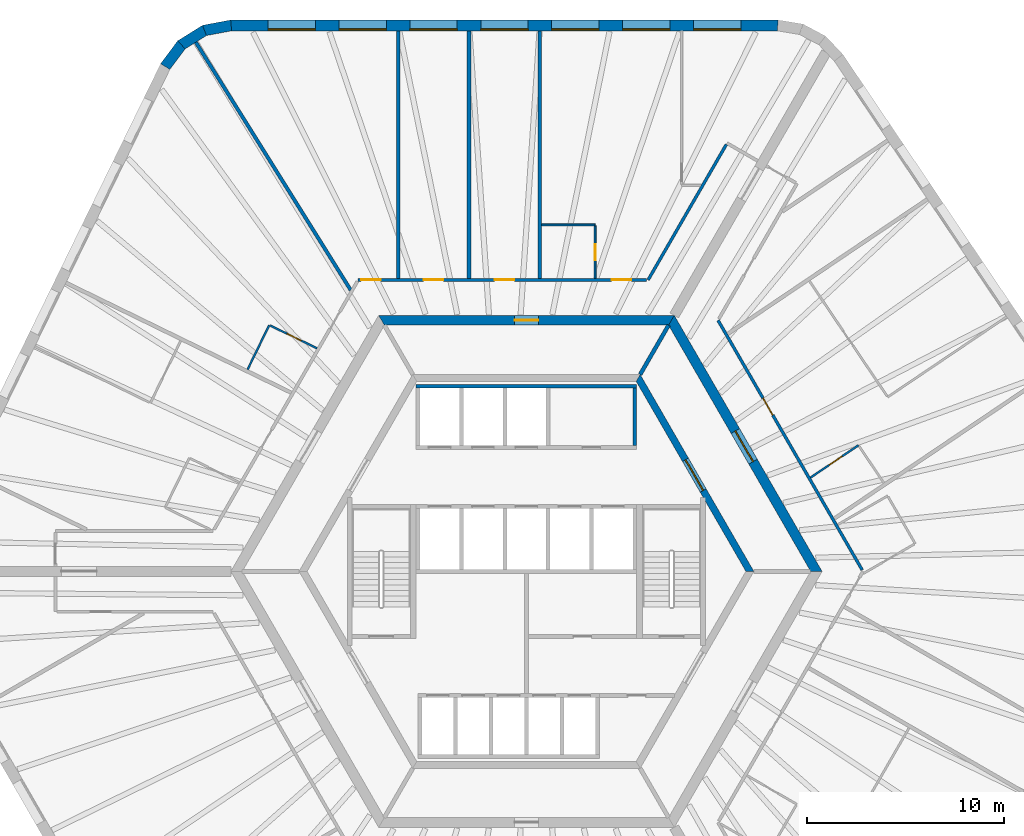
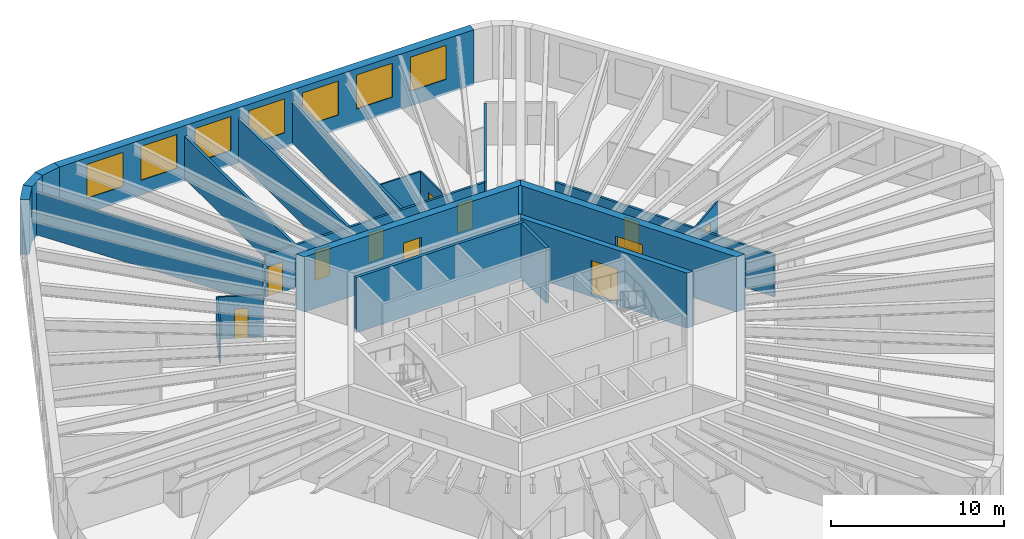
# One storey, part 7 of 9: 22 walls, 11 doors, 7 windows, 18 openings.
"""IFC4 building model written with IfcOpenShell, lengths in metres."""

from ifc_helpers import new_model, si_unit, direction, frame, frame_2d, origin, place, context, subcontext, project, spatial, polyline, rectangle, outline, extrude, material, layer, layer_set, type_object, element, fill, save


model = new_model("IFC4")

# Units and contexts
model_context = context("Model", 3, precision=1e-05, world=origin(), true_north=direction((0.0, 1.0)))
body_context = subcontext(model_context, "Body", "Model", "MODEL_VIEW")
ifc_project = project(units=[si_unit("LENGTHUNIT", "METRE"), si_unit("AREAUNIT", "SQUARE_METRE"), si_unit("VOLUMEUNIT", "CUBIC_METRE"), si_unit("PLANEANGLEUNIT", "RADIAN"), si_unit("MASSUNIT", "GRAM", prefix="KILO")], contexts=[model_context])

# Site, building, storey
site_placement = place(None, origin())
site = spatial("IfcSite", under=ifc_project, at=site_placement, CompositionType="ELEMENT")
building_placement = place(site_placement, origin())
building = spatial("IfcBuilding", under=site, at=building_placement, Name="Tarnside Tower", CompositionType="ELEMENT")
storey_placement = place(building_placement, frame((0.0, 0.0, 219.0)))
storey = spatial("IfcBuildingStorey", under=building, at=storey_placement, Name="L52", CompositionType="ELEMENT", Elevation=219.0)

# Wall
ifc_material_1 = material(Name="Gypsum board partition on steel studs", Category="steel")
ifc_layer_1 = layer(ifc_material_1, 0.10009765625)
ifc_layer_set_1 = layer_set([ifc_layer_1], Name="Bathroom wall 100")
wall_type_1 = type_object("IfcWallType", Name="Bathroom wall 100", PredefinedType="PARTITIONING", material=ifc_layer_set_1)
wall_1_placement = place(storey_placement, frame((0.772216796875, 17.60009765625, 0.0), z_axis=(0.0, 0.0, 1.0), x_axis=(1.0, 0.0, 0.0)))
element("IfcWall", 1, at=wall_1_placement, inside=storey, type_object=wall_type_1, Name="Bathroom wall 17046", PredefinedType="PARTITIONING", context=body_context, shape_type="SweptSolid", body=[
    extrude(rectangle(XDim=2.7099609375, YDim=0.10009765625, at=frame_2d((1.35498046875, 0.0))), origin(), (0.0, 0.0, 1.0), 2.98779296875),
])

# Wall, opening, door
wall_2_placement = place(storey_placement, frame((3.482177734375, 17.550048828125, 0.0), z_axis=(0.0, 0.0, 1.0), x_axis=(0.0, -1.0, 0.0)))
wall_2 = element("IfcWall", 2, at=wall_2_placement, inside=storey, type_object=wall_type_1, Name="Bathroom wall 17047", PredefinedType="PARTITIONING", context=body_context, shape_type="SweptSolid", body=[
    extrude(rectangle(XDim=2.675048828125, YDim=0.10009765625, at=frame_2d((1.33740234375, 0.0))), origin(), (0.0, 0.0, 1.0), 2.98779296875),
])
opening_1_placement = place(wall_2_placement, frame((0.949951171875, 0.0, 0.0)))
opening_1 = element("IfcOpeningElement", 3, at=opening_1_placement, cuts=wall_2, Name="Opening D-B1", PredefinedType="OPENING", context=body_context, shape_type="SweptSolid", body=[
    extrude(rectangle(XDim=0.800048828125, YDim=2.10009765625, at=frame_2d((0.39990234375, 1.050048828125))), frame((0.0, 0.06005859375, 0.0), z_axis=(0.0, -1.0, 0.0), x_axis=(1.0, 0.0, 0.0)), (0.0, 0.0, 1.0), 0.1201171875),
])
ifc_material_2 = material(Name="Timber door leaf", Category="wood")
door_type_1 = type_object("IfcDoorType", Name="Bathroom door 800", OperationType="NOTDEFINED", PredefinedType="DOOR", material=ifc_material_2)
door_1_placement = place(opening_1_placement, origin())
door_1 = element("IfcDoor", 4, at=door_1_placement, inside=storey, type_object=door_type_1, Name="Bathroom door 17002", OperationType="SINGLE_SWING_LEFT", OverallHeight=2.10009765625, OverallWidth=0.800048828125, PredefinedType="DOOR", context=body_context, shape_type="SweptSolid", body=[
    extrude(rectangle(XDim=0.800048828125, YDim=2.10009765625, at=frame_2d((0.39990234375, 1.050048828125))), frame((0.0, 0.02490234375, 0.0), z_axis=(0.0, -1.0, 0.0), x_axis=(1.0, 0.0, 0.0)), (0.0, 0.0, 1.0), 0.050048828125),
])
fill(opening_1, door_1)

# Wall
wall_3_placement = place(storey_placement, frame((-14.161865234375, 10.25390625, 0.0), z_axis=(0.0, 0.0, 1.0), x_axis=(0.438398718232, 0.898780598284, 0.0)))
element("IfcWall", 5, at=wall_3_placement, inside=storey, type_object=wall_type_1, Name="Bathroom wall 17055", PredefinedType="PARTITIONING", context=body_context, shape_type="SweptSolid", body=[
    extrude(rectangle(XDim=2.510009765625, YDim=0.10009765625, at=frame_2d((1.2548828125, 0.0))), origin(), (0.0, 0.0, 1.0), 2.98779296875),
])

# Wall, opening, door
wall_4_placement = place(storey_placement, frame((-13.0166015625, 12.48779296875, 0.0), z_axis=(0.0, 0.0, 1.0), x_axis=(0.89882691906, -0.438303741226, 0.0)))
wall_4 = element("IfcWall", 6, at=wall_4_placement, inside=storey, type_object=wall_type_1, Name="Bathroom wall 17056", PredefinedType="PARTITIONING", context=body_context, shape_type="SweptSolid", body=[
    extrude(rectangle(XDim=2.64794921875, YDim=0.10009765625, at=frame_2d((1.323974609375, 0.0))), origin(), (0.0, 0.0, 1.0), 2.98779296875),
])
opening_2_placement = place(wall_4_placement, frame((0.949951171875, 0.0, 0.0)))
opening_2 = element("IfcOpeningElement", 7, at=opening_2_placement, cuts=wall_4, Name="Opening D-B1", PredefinedType="OPENING", context=body_context, shape_type="SweptSolid", body=[
    extrude(rectangle(XDim=0.800048828125, YDim=2.10009765625, at=frame_2d((0.39990234375, 1.050048828125))), frame((0.0, 0.06005859375, 0.0), z_axis=(0.0, -1.0, 0.0), x_axis=(1.0, 0.0, 0.0)), (0.0, 0.0, 1.0), 0.1201171875),
])
door_2_placement = place(opening_2_placement, origin())
door_2 = element("IfcDoor", 8, at=door_2_placement, inside=storey, type_object=door_type_1, Name="Bathroom door 17008", OperationType="SINGLE_SWING_LEFT", OverallHeight=2.10009765625, OverallWidth=0.800048828125, PredefinedType="DOOR", context=body_context, shape_type="SweptSolid", body=[
    extrude(rectangle(XDim=0.800048828125, YDim=2.10009765625, at=frame_2d((0.39990234375, 1.050048828125))), frame((0.0, 0.02490234375, 0.0), z_axis=(0.0, -1.0, 0.0), x_axis=(1.0, 0.0, 0.0)), (0.0, 0.0, 1.0), 0.050048828125),
])
fill(opening_2, door_2)

wall_5_placement = place(storey_placement, frame((14.426025390625, 4.763427734375, 0.0), z_axis=(0.0, 0.0, 1.0), x_axis=(0.829055983973, 0.559165606451, 0.0)))
wall_5 = element("IfcWall", 9, at=wall_5_placement, inside=storey, type_object=wall_type_1, Name="Bathroom wall 17094", PredefinedType="PARTITIONING", context=body_context, shape_type="SweptSolid", body=[
    extrude(rectangle(XDim=2.9345703125, YDim=0.10009765625, at=frame_2d((1.46728515625, 0.0))), origin(), (0.0, 0.0, 1.0), 2.98779296875),
])
opening_3_placement = place(wall_5_placement, frame((1.134521484375, 0.0, 0.0)))
opening_3 = element("IfcOpeningElement", 10, at=opening_3_placement, cuts=wall_5, Name="Opening D-B1", PredefinedType="OPENING", context=body_context, shape_type="SweptSolid", body=[
    extrude(rectangle(XDim=0.800048828125, YDim=2.10009765625, at=frame_2d((0.39990234375, 1.050048828125))), frame((0.0, 0.06005859375, 0.0), z_axis=(0.0, -1.0, 0.0), x_axis=(1.0, 0.0, 0.0)), (0.0, 0.0, 1.0), 0.1201171875),
])
door_3_placement = place(opening_3_placement, origin())
door_3 = element("IfcDoor", 11, at=door_3_placement, inside=storey, type_object=door_type_1, Name="Bathroom door 17030", OperationType="SINGLE_SWING_LEFT", OverallHeight=2.10009765625, OverallWidth=0.800048828125, PredefinedType="DOOR", context=body_context, shape_type="SweptSolid", body=[
    extrude(rectangle(XDim=0.800048828125, YDim=2.10009765625, at=frame_2d((0.39990234375, 1.050048828125))), frame((0.0, 0.02490234375, 0.0), z_axis=(0.0, -1.0, 0.0), x_axis=(1.0, 0.0, 0.0)), (0.0, 0.0, 1.0), 0.050048828125),
])
fill(opening_3, door_3)

ifc_material_3 = material(Name="Concrete C50/60", Category="concrete")
ifc_layer_2 = layer(ifc_material_3, 0.35009765625)
ifc_layer_set_2 = layer_set([ifc_layer_2], Name="Core block wall 350 C50/60")
wall_type_2 = type_object("IfcWallType", Name="Core block wall 350 C50/60", PredefinedType="SHEAR", material=ifc_layer_set_2)
wall_6_placement = place(storey_placement, frame((11.344970703125, 0.0, -0.14990234375), z_axis=(0.0, 0.0, 1.0), x_axis=(-0.499995046907, 0.866028263435, 0.0)))
wall_6 = element("IfcWall", 12, at=wall_6_placement, inside=storey, type_object=wall_type_2, Name="L52 core block wall face 6", PredefinedType="SHEAR", context=body_context, shape_type="SweptSolid", body=[
    extrude(outline(polyline([(-0.10107421875, -0.175048828125), (11.44580078125, -0.175048828125), (11.24365234375, 0.175048828125), (0.10107421875, 0.175048828125), (-0.10107421875, -0.175048828125)])), origin(), (0.0, 0.0, 1.0), 3.89990234375),
])
opening_4_placement = place(wall_6_placement, frame((4.74365234375, 0.0, 0.14990234375)))
opening_4 = element("IfcOpeningElement", 13, at=opening_4_placement, cuts=wall_6, Name="Opening CD-LOB", PredefinedType="OPENING", context=body_context, shape_type="SweptSolid", body=[
    extrude(rectangle(XDim=1.800048828125, YDim=2.39990234375, at=frame_2d((0.89990234375, 1.199951171875))), frame((0.0, 0.18505859375, 0.0), z_axis=(0.0, -1.0, 0.0), x_axis=(1.0, 0.0, 0.0)), (0.0, 0.0, 1.0), 0.3701171875),
])
ifc_material_4 = material(Name="Steel fire door", Category="steel")
door_type_2 = type_object("IfcDoorType", Name="Lobby double door FD30S 1800x2400", OperationType="NOTDEFINED", PredefinedType="DOOR", material=ifc_material_4)
door_4_placement = place(opening_4_placement, origin())
door_4 = element("IfcDoor", 14, at=door_4_placement, inside=storey, type_object=door_type_2, Name="L52 lobby block door P2", OperationType="DOUBLE_DOOR_SINGLE_SWING", OverallHeight=2.39990234375, OverallWidth=1.800048828125, PredefinedType="DOOR", context=body_context, shape_type="SweptSolid", body=[
    extrude(rectangle(XDim=1.800048828125, YDim=2.39990234375, at=frame_2d((0.89990234375, 1.199951171875))), frame((0.0, 0.02490234375, 0.0), z_axis=(0.0, -1.0, 0.0), x_axis=(1.0, 0.0, 0.0)), (0.0, 0.0, 1.0), 0.050048828125),
])
fill(opening_4, door_4)

ifc_material_5 = material(Name="Concrete C70/85", Category="concrete")
ifc_layer_3 = layer(ifc_material_5, 0.5)
ifc_layer_set_3 = layer_set([ifc_layer_3], Name="Core wall Z2 500 C70/85")
wall_type_3 = type_object("IfcWallType", Name="Core wall Z2 500 C70/85", PredefinedType="SHEAR", material=ifc_layer_set_3)
wall_7_placement = place(storey_placement, frame((14.722412109375, 0.0, -0.14990234375), z_axis=(0.0, 0.0, 1.0), x_axis=(-0.50000571537, 0.866022103989, 0.0)))
wall_7 = element("IfcWall", 15, at=wall_7_placement, inside=storey, type_object=wall_type_3, Name="L52 core wall face 6", PredefinedType="SHEAR", context=body_context, shape_type="SweptSolid", body=[
    extrude(outline(polyline([(-0.144287109375, -0.25), (14.86669921875, -0.25), (14.578125, 0.25), (0.144287109375, 0.25), (-0.144287109375, -0.25)])), origin(), (0.0, 0.0, 1.0), 3.89990234375),
])
opening_5_placement = place(wall_7_placement, frame((6.432373046875, 0.0, 0.14990234375)))
opening_5 = element("IfcOpeningElement", 16, at=opening_5_placement, cuts=wall_7, Name="Opening CD-LOB", PredefinedType="OPENING", context=body_context, shape_type="SweptSolid", body=[
    extrude(rectangle(XDim=1.800048828125, YDim=2.39990234375, at=frame_2d((0.89990234375, 1.199951171875))), frame((0.0, 0.260009765625, 0.0), z_axis=(0.0, -1.0, 0.0), x_axis=(1.0, 0.0, 0.0)), (0.0, 0.0, 1.0), 0.52001953125),
])
door_5_placement = place(opening_5_placement, origin())
door_5 = element("IfcDoor", 17, at=door_5_placement, inside=storey, type_object=door_type_2, Name="L52 core door P2", OperationType="DOUBLE_DOOR_SINGLE_SWING", OverallHeight=2.39990234375, OverallWidth=1.800048828125, PredefinedType="DOOR", context=body_context, shape_type="SweptSolid", body=[
    extrude(rectangle(XDim=1.800048828125, YDim=2.39990234375, at=frame_2d((0.89990234375, 1.199951171875))), frame((0.0, 0.02490234375, 0.0), z_axis=(0.0, -1.0, 0.0), x_axis=(1.0, 0.0, 0.0)), (0.0, 0.0, 1.0), 0.050048828125),
])
fill(opening_5, door_5)

wall_8_placement = place(storey_placement, frame((7.361083984375, 12.75, -0.14990234375), z_axis=(0.0, 0.0, 1.0), x_axis=(-1.0, 0.0, 0.0)))
wall_8 = element("IfcWall", 18, at=wall_8_placement, inside=storey, type_object=wall_type_3, Name="L52 core wall face 1", PredefinedType="SHEAR", context=body_context, shape_type="SweptSolid", body=[
    extrude(outline(polyline([(-0.144287109375, -0.25), (14.866455078125, -0.25), (14.577880859375, 0.25), (0.144287109375, 0.25), (-0.144287109375, -0.25)])), origin(), (0.0, 0.0, 1.0), 3.89990234375),
])
opening_6_placement = place(wall_8_placement, frame((6.76123046875, 0.0, 0.14990234375)))
opening_6 = element("IfcOpeningElement", 19, at=opening_6_placement, cuts=wall_8, Name="Opening CD-RSR", PredefinedType="OPENING", context=body_context, shape_type="SweptSolid", body=[
    extrude(rectangle(XDim=1.199951171875, YDim=2.39990234375, at=frame_2d((0.60009765625, 1.199951171875))), frame((0.0, 0.260009765625, 0.0), z_axis=(0.0, -1.0, 0.0), x_axis=(1.0, 0.0, 0.0)), (0.0, 0.0, 1.0), 0.52001953125),
])
door_type_3 = type_object("IfcDoorType", Name="Riser door FD60 1200x2400", OperationType="NOTDEFINED", PredefinedType="DOOR", material=ifc_material_4)
door_6_placement = place(opening_6_placement, origin())
door_6 = element("IfcDoor", 20, at=door_6_placement, inside=storey, type_object=door_type_3, Name="L52 core door S5", OperationType="SINGLE_SWING_LEFT", OverallHeight=2.39990234375, OverallWidth=1.199951171875, PredefinedType="DOOR", context=body_context, shape_type="SweptSolid", body=[
    extrude(rectangle(XDim=1.199951171875, YDim=2.39990234375, at=frame_2d((0.60009765625, 1.199951171875))), frame((0.0, 0.02490234375, 0.0), z_axis=(0.0, -1.0, 0.0), x_axis=(1.0, 0.0, 0.0)), (0.0, 0.0, 1.0), 0.050048828125),
])
fill(opening_6, door_6)

# Wall
ifc_layer_4 = layer(ifc_material_1, 0.14990234375)
ifc_layer_set_4 = layer_set([ifc_layer_4], Name="Corridor wall 150 EI 60")
wall_type_4 = type_object("IfcWallType", Name="Corridor wall 150 EI 60", PredefinedType="PARTITIONING", material=ifc_layer_set_4)
wall_9_placement = place(storey_placement, frame((10.148681640625, 21.677978515625, 0.0), z_axis=(0.0, 0.0, 1.0), x_axis=(-0.499997422768, -0.866026891745, 0.0)))
element("IfcWall", 21, at=wall_9_placement, inside=storey, type_object=wall_type_4, Name="Corridor wall 17001", PredefinedType="PARTITIONING", context=body_context, shape_type="SweptSolid", body=[
    extrude(rectangle(XDim=7.94189453125, YDim=0.14990234375, at=frame_2d((3.970947265625, 0.0))), origin(), (0.0, 0.0, 1.0), 2.98779296875),
])

# Wall, openings, doors
wall_10_placement = place(storey_placement, frame((6.091064453125, 14.800048828125, 0.0), z_axis=(0.0, 0.0, 1.0), x_axis=(-1.0, 0.0, 0.0)))
wall_10 = element("IfcWall", 22, at=wall_10_placement, inside=storey, type_object=wall_type_4, Name="Corridor wall 17002", PredefinedType="PARTITIONING", context=body_context, shape_type="SweptSolid", body=[
    extrude(rectangle(XDim=14.6357421875, YDim=0.14990234375, at=frame_2d((7.31787109375, 0.0))), origin(), (0.0, 0.0, 1.0), 2.98779296875),
])
opening_7_placement = place(wall_10_placement, frame((0.76123046875, 0.0, 0.0)))
opening_7 = element("IfcOpeningElement", 23, at=opening_7_placement, cuts=wall_10, Name="Opening D-E1", PredefinedType="OPENING", context=body_context, shape_type="SweptSolid", body=[
    extrude(rectangle(XDim=1.0, YDim=2.10009765625, at=frame_2d((0.5, 1.050048828125))), frame((0.0, 0.0849609375, 0.0), z_axis=(0.0, -1.0, 0.0), x_axis=(1.0, 0.0, 0.0)), (0.0, 0.0, 1.0), 0.169921875),
])
opening_8_placement = place(wall_10_placement, frame((6.708984375, 0.0, 0.0)))
opening_8 = element("IfcOpeningElement", 24, at=opening_8_placement, cuts=wall_10, Name="Opening D-E1", PredefinedType="OPENING", context=body_context, shape_type="SweptSolid", body=[
    extrude(rectangle(XDim=1.0, YDim=2.10009765625, at=frame_2d((0.5, 1.050048828125))), frame((0.0, 0.0849609375, 0.0), z_axis=(0.0, -1.0, 0.0), x_axis=(1.0, 0.0, 0.0)), (0.0, 0.0, 1.0), 0.169921875),
])
opening_9_placement = place(wall_10_placement, frame((10.308837890625, 0.0, 0.0)))
opening_9 = element("IfcOpeningElement", 25, at=opening_9_placement, cuts=wall_10, Name="Opening D-E1", PredefinedType="OPENING", context=body_context, shape_type="SweptSolid", body=[
    extrude(rectangle(XDim=1.0, YDim=2.10009765625, at=frame_2d((0.5, 1.050048828125))), frame((0.0, 0.0849609375, 0.0), z_axis=(0.0, -1.0, 0.0), x_axis=(1.0, 0.0, 0.0)), (0.0, 0.0, 1.0), 0.169921875),
])
opening_10_placement = place(wall_10_placement, frame((13.48583984375, 0.0, 0.0)))
opening_10 = element("IfcOpeningElement", 26, at=opening_10_placement, cuts=wall_10, Name="Opening D-E1", PredefinedType="OPENING", context=body_context, shape_type="SweptSolid", body=[
    extrude(rectangle(XDim=1.0, YDim=2.10009765625, at=frame_2d((0.5, 1.050048828125))), frame((0.0, 0.0849609375, 0.0), z_axis=(0.0, -1.0, 0.0), x_axis=(1.0, 0.0, 0.0)), (0.0, 0.0, 1.0), 0.169921875),
])
door_type_4 = type_object("IfcDoorType", Name="Unit entrance door 1000 FD30S", OperationType="NOTDEFINED", PredefinedType="DOOR", material=ifc_material_2)
door_7_placement = place(opening_7_placement, origin())
door_7 = element("IfcDoor", 27, at=door_7_placement, inside=storey, type_object=door_type_4, Name="Unit door 17001", OperationType="SINGLE_SWING_RIGHT", OverallHeight=2.10009765625, OverallWidth=1.0, PredefinedType="DOOR", context=body_context, shape_type="SweptSolid", body=[
    extrude(rectangle(XDim=1.0, YDim=2.10009765625, at=frame_2d((0.5, 1.050048828125))), frame((0.0, 0.02490234375, 0.0), z_axis=(0.0, -1.0, 0.0), x_axis=(1.0, 0.0, 0.0)), (0.0, 0.0, 1.0), 0.050048828125),
])
fill(opening_7, door_7)
door_8_placement = place(opening_8_placement, origin())
door_8 = element("IfcDoor", 28, at=door_8_placement, inside=storey, type_object=door_type_4, Name="Unit door 17004", OperationType="SINGLE_SWING_LEFT", OverallHeight=2.10009765625, OverallWidth=1.0, PredefinedType="DOOR", context=body_context, shape_type="SweptSolid", body=[
    extrude(rectangle(XDim=1.0, YDim=2.10009765625, at=frame_2d((0.5, 1.050048828125))), frame((0.0, 0.02490234375, 0.0), z_axis=(0.0, -1.0, 0.0), x_axis=(1.0, 0.0, 0.0)), (0.0, 0.0, 1.0), 0.050048828125),
])
fill(opening_8, door_8)
door_9_placement = place(opening_9_placement, origin())
door_9 = element("IfcDoor", 29, at=door_9_placement, inside=storey, type_object=door_type_4, Name="Unit door 17005", OperationType="SINGLE_SWING_RIGHT", OverallHeight=2.10009765625, OverallWidth=1.0, PredefinedType="DOOR", context=body_context, shape_type="SweptSolid", body=[
    extrude(rectangle(XDim=1.0, YDim=2.10009765625, at=frame_2d((0.5, 1.050048828125))), frame((0.0, 0.02490234375, 0.0), z_axis=(0.0, -1.0, 0.0), x_axis=(1.0, 0.0, 0.0)), (0.0, 0.0, 1.0), 0.050048828125),
])
fill(opening_9, door_9)
door_10_placement = place(opening_10_placement, origin())
door_10 = element("IfcDoor", 30, at=door_10_placement, inside=storey, type_object=door_type_4, Name="Unit door 17006", OperationType="SINGLE_SWING_LEFT", OverallHeight=2.10009765625, OverallWidth=1.0, PredefinedType="DOOR", context=body_context, shape_type="SweptSolid", body=[
    extrude(rectangle(XDim=1.0, YDim=2.10009765625, at=frame_2d((0.5, 1.050048828125))), frame((0.0, 0.02490234375, 0.0), z_axis=(0.0, -1.0, 0.0), x_axis=(1.0, 0.0, 0.0)), (0.0, 0.0, 1.0), 0.050048828125),
])
fill(opening_10, door_10)

# Wall, opening, door
wall_11_placement = place(storey_placement, frame((17.04638671875, 0.074951171875, 0.0), z_axis=(0.0, 0.0, 1.0), x_axis=(-0.500008833422, 0.866020303746, 0.0)))
wall_11 = element("IfcWall", 31, at=wall_11_placement, inside=storey, type_object=wall_type_4, Name="Corridor wall 17036", PredefinedType="PARTITIONING", context=body_context, shape_type="SweptSolid", body=[
    extrude(rectangle(XDim=14.635986328125, YDim=0.14990234375, at=frame_2d((7.31787109375, 0.0))), origin(), (0.0, 0.0, 1.0), 2.98779296875),
])
opening_11_placement = place(wall_11_placement, frame((9.069580078125, 0.0, 0.0)))
opening_11 = element("IfcOpeningElement", 32, at=opening_11_placement, cuts=wall_11, Name="Opening D-E1", PredefinedType="OPENING", context=body_context, shape_type="SweptSolid", body=[
    extrude(rectangle(XDim=1.0, YDim=2.10009765625, at=frame_2d((0.5, 1.050048828125))), frame((0.0, 0.0849609375, 0.0), z_axis=(0.0, -1.0, 0.0), x_axis=(1.0, 0.0, 0.0)), (0.0, 0.0, 1.0), 0.169921875),
])
door_11_placement = place(opening_11_placement, origin())
door_11 = element("IfcDoor", 33, at=door_11_placement, inside=storey, type_object=door_type_4, Name="Unit door 17029", OperationType="SINGLE_SWING_RIGHT", OverallHeight=2.10009765625, OverallWidth=1.0, PredefinedType="DOOR", context=body_context, shape_type="SweptSolid", body=[
    extrude(rectangle(XDim=1.0, YDim=2.10009765625, at=frame_2d((0.5, 1.050048828125))), frame((0.0, 0.02490234375, 0.0), z_axis=(0.0, -1.0, 0.0), x_axis=(1.0, 0.0, 0.0)), (0.0, 0.0, 1.0), 0.050048828125),
])
fill(opening_11, door_11)

# Walls
ifc_layer_5 = layer(ifc_material_1, 0.179931640625)
ifc_layer_set_5 = layer_set([ifc_layer_5], Name="Demising wall 180 EI 60")
wall_type_5 = type_object("IfcWallType", Name="Demising wall 180 EI 60", PredefinedType="PARTITIONING", material=ifc_layer_set_5)
for number, where, z_axis, x_axis, name in (
    (34, (0.68212890625, 27.449951171875, 0.0), (0.0, 0.0, 1.0), (0.0, -1.0, 0.0), "Demising wall 17050"),
    (35, (-2.91796875, 27.449951171875, 0.0), (0.0, 0.0, 1.0), (0.0, -1.0, 0.0), "Demising wall 17052"),
    (36, (-6.517822265625, 27.449951171875, 0.0), (0.0, 0.0, 1.0), (0.0, -1.0, 0.0), "Demising wall 17053"),
):
    element("IfcWall", number, at=place(storey_placement, frame(where, z_axis=z_axis, x_axis=x_axis)), inside=storey, type_object=wall_type_5, Name=name, PredefinedType="PARTITIONING", context=body_context, shape_type="SweptSolid", body=[
        extrude(rectangle(XDim=12.574951171875, YDim=0.179931640625, at=frame_2d((6.28759765625, 0.0))), origin(), (0.0, 0.0, 1.0), 2.98779296875),
    ])
wall_12_placement = place(storey_placement, frame((-16.791015625, 26.87109375, 0.0), z_axis=(0.0, 0.0, 1.0), x_axis=(0.529927950822, -0.848042668111, 0.0)))
element("IfcWall", 37, at=wall_12_placement, inside=storey, type_object=wall_type_5, Name="Demising wall 17054", PredefinedType="PARTITIONING", context=body_context, shape_type="SweptSolid", body=[
    extrude(rectangle(XDim=14.8388671875, YDim=0.179931640625, at=frame_2d((7.41943359375, 0.0))), origin(), (0.0, 0.0, 1.0), 2.98779296875),
])
ifc_material_6 = material(Name="Concrete C40/50", Category="concrete")
ifc_layer_6 = layer(ifc_material_6, 0.199951171875)
ifc_layer_set_6 = layer_set([ifc_layer_6], Name="Lift shaft wall 200 C40/50")
wall_type_6 = type_object("IfcWallType", Name="Lift shaft wall 200 C40/50", PredefinedType="SHEAR", material=ifc_layer_set_6)
wall_13_placement = place(storey_placement, frame((-5.60009765625, 9.39990234375, -0.25), z_axis=(0.0, 0.0, 1.0), x_axis=(1.0, 0.0, 0.0)))
element("IfcWall", 38, at=wall_13_placement, inside=storey, type_object=wall_type_6, Name="L52 lift shaft back wall R1", PredefinedType="SHEAR", context=body_context, shape_type="SweptSolid", body=[
    extrude(rectangle(XDim=11.2001953125, YDim=0.199951171875, at=frame_2d((5.60009765625, 0.0))), origin(), (0.0, 0.0, 1.0), 3.89990234375),
])
wall_14_placement = place(storey_placement, frame((5.5, 6.39990234375, -0.25), z_axis=(0.0, 0.0, 1.0), x_axis=(0.0, 1.0, 0.0)))
element("IfcWall", 39, at=wall_14_placement, inside=storey, type_object=wall_type_6, Name="L52 lift shaft partition R16", PredefinedType="SHEAR", context=body_context, shape_type="SweptSolid", body=[
    extrude(rectangle(XDim=2.900146484375, YDim=0.199951171875, at=frame_2d((1.4501953125, 0.0))), origin(), (0.0, 0.0, 1.0), 3.89990234375),
])
wall_15_placement = place(storey_placement, frame((5.7734375, 10.0, -0.14990234375), z_axis=(0.0, 0.0, 1.0), x_axis=(0.499995765644, 0.866027848477, 0.0)))
element("IfcWall", 40, at=wall_15_placement, inside=storey, type_object=wall_type_6, Name="L52 core partition AR60", PredefinedType="SHEAR", context=body_context, shape_type="SweptSolid", body=[
    extrude(rectangle(XDim=2.88671875, YDim=0.199951171875, at=frame_2d((1.443359375, 0.0))), origin(), (0.0, 0.0, 1.0), 3.89990234375),
])

# Wall, openings, windows
ifc_material_7 = material(Name="Facing brick", Category="masonry")
ifc_layer_7 = layer(ifc_material_7, 0.10205078125)
ifc_material_8 = material(Name="Concrete C60/75 precast", Category="concrete")
ifc_layer_8 = layer(ifc_material_8, 0.347900390625)
ifc_material_9 = material(Name="Mineral wool insulation")
ifc_layer_9 = layer(ifc_material_9, 0.10009765625)
ifc_layer_set_7 = layer_set([ifc_layer_7, ifc_layer_8, ifc_layer_9], Name="Tube wall 550 brick faced")
wall_type_7 = type_object("IfcWallType", Name="Tube wall 550 brick faced", PredefinedType="SOLIDWALL", material=ifc_layer_set_7)
wall_16_placement = place(storey_placement, frame((12.760986328125, 27.72509765625, -0.14990234375), z_axis=(0.0, 0.0, 1.0), x_axis=(-1.0, 0.0, 0.0)))
wall_16 = element("IfcWall", 41, at=wall_16_placement, inside=storey, type_object=wall_type_7, Name="Tube wall L52 F1 flush 00", PredefinedType="SOLIDWALL", context=body_context, shape_type="SweptSolid", body=[
    extrude(outline(polyline([(-0.0224609375, -0.27490234375), (27.783447265625, -0.27490234375), (27.732177734375, 0.27490234375), (0.0224609375, 0.27490234375), (-0.0224609375, -0.27490234375)])), origin(), (0.0, 0.0, 1.0), 3.89990234375),
])
opening_12_placement = place(wall_16_placement, frame((1.87890625, 0.0, 1.050048828125)))
opening_12 = element("IfcOpeningElement", 42, at=opening_12_placement, cuts=wall_16, Name="Opening WH", PredefinedType="OPENING", context=body_context, shape_type="SweptSolid", body=[
    extrude(rectangle(XDim=2.39990234375, YDim=2.39990234375, at=frame_2d((1.199951171875, 1.199951171875))), frame((0.0, 0.28515625, 0.0), z_axis=(0.0, -1.0, 0.0), x_axis=(1.0, 0.0, 0.0)), (0.0, 0.0, 1.0), 0.570068359375),
])
opening_13_placement = place(wall_16_placement, frame((5.47900390625, 0.0, 1.050048828125)))
opening_13 = element("IfcOpeningElement", 43, at=opening_13_placement, cuts=wall_16, Name="Opening WH", PredefinedType="OPENING", context=body_context, shape_type="SweptSolid", body=[
    extrude(rectangle(XDim=2.39990234375, YDim=2.39990234375, at=frame_2d((1.199951171875, 1.199951171875))), frame((0.0, 0.28515625, 0.0), z_axis=(0.0, -1.0, 0.0), x_axis=(1.0, 0.0, 0.0)), (0.0, 0.0, 1.0), 0.570068359375),
])
opening_14_placement = place(wall_16_placement, frame((9.078857421875, 0.0, 1.050048828125)))
opening_14 = element("IfcOpeningElement", 44, at=opening_14_placement, cuts=wall_16, Name="Opening WH", PredefinedType="OPENING", context=body_context, shape_type="SweptSolid", body=[
    extrude(rectangle(XDim=2.39990234375, YDim=2.39990234375, at=frame_2d((1.199951171875, 1.199951171875))), frame((0.0, 0.28515625, 0.0), z_axis=(0.0, -1.0, 0.0), x_axis=(1.0, 0.0, 0.0)), (0.0, 0.0, 1.0), 0.570068359375),
])
opening_15_placement = place(wall_16_placement, frame((12.678955078125, 0.0, 1.050048828125)))
opening_15 = element("IfcOpeningElement", 45, at=opening_15_placement, cuts=wall_16, Name="Opening WH", PredefinedType="OPENING", context=body_context, shape_type="SweptSolid", body=[
    extrude(rectangle(XDim=2.39990234375, YDim=2.39990234375, at=frame_2d((1.199951171875, 1.199951171875))), frame((0.0, 0.28515625, 0.0), z_axis=(0.0, -1.0, 0.0), x_axis=(1.0, 0.0, 0.0)), (0.0, 0.0, 1.0), 0.570068359375),
])
opening_16_placement = place(wall_16_placement, frame((16.27880859375, 0.0, 1.050048828125)))
opening_16 = element("IfcOpeningElement", 46, at=opening_16_placement, cuts=wall_16, Name="Opening WH", PredefinedType="OPENING", context=body_context, shape_type="SweptSolid", body=[
    extrude(rectangle(XDim=2.39990234375, YDim=2.39990234375, at=frame_2d((1.199951171875, 1.199951171875))), frame((0.0, 0.28515625, 0.0), z_axis=(0.0, -1.0, 0.0), x_axis=(1.0, 0.0, 0.0)), (0.0, 0.0, 1.0), 0.570068359375),
])
opening_17_placement = place(wall_16_placement, frame((19.87890625, 0.0, 1.050048828125)))
opening_17 = element("IfcOpeningElement", 47, at=opening_17_placement, cuts=wall_16, Name="Opening WH", PredefinedType="OPENING", context=body_context, shape_type="SweptSolid", body=[
    extrude(rectangle(XDim=2.39990234375, YDim=2.39990234375, at=frame_2d((1.199951171875, 1.199951171875))), frame((0.0, 0.28515625, 0.0), z_axis=(0.0, -1.0, 0.0), x_axis=(1.0, 0.0, 0.0)), (0.0, 0.0, 1.0), 0.570068359375),
])
opening_18_placement = place(wall_16_placement, frame((23.47900390625, 0.0, 1.050048828125)))
opening_18 = element("IfcOpeningElement", 48, at=opening_18_placement, cuts=wall_16, Name="Opening WH", PredefinedType="OPENING", context=body_context, shape_type="SweptSolid", body=[
    extrude(rectangle(XDim=2.39990234375, YDim=2.39990234375, at=frame_2d((1.199951171875, 1.199951171875))), frame((0.0, 0.28515625, 0.0), z_axis=(0.0, -1.0, 0.0), x_axis=(1.0, 0.0, 0.0)), (0.0, 0.0, 1.0), 0.570068359375),
])
ifc_material_10 = material(Name="Aluminium-framed double glazing", Category="aluminium")
window_type = type_object("IfcWindowType", Name="Hotel window 2400 x 2400", PartitioningType="DOUBLE_PANEL_VERTICAL", PredefinedType="WINDOW", material=ifc_material_10)
window_1_placement = place(opening_12_placement, frame((0.0, 0.205078125, 0.0)))
window_1 = element("IfcWindow", 49, at=window_1_placement, inside=storey, type_object=window_type, Name="E.WN.L52.F1.00", OverallHeight=2.39990234375, OverallWidth=2.39990234375, PartitioningType="DOUBLE_PANEL_VERTICAL", PredefinedType="WINDOW", context=body_context, shape_type="SweptSolid", body=[
    extrude(rectangle(XDim=2.39990234375, YDim=2.39990234375, at=frame_2d((1.199951171875, 1.199951171875))), frame((0.0, 0.030029296875, 0.0), z_axis=(0.0, -1.0, 0.0), x_axis=(1.0, 0.0, 0.0)), (0.0, 0.0, 1.0), 0.06005859375),
])
fill(opening_12, window_1)
window_2_placement = place(opening_13_placement, frame((0.0, 0.205078125, 0.0)))
window_2 = element("IfcWindow", 50, at=window_2_placement, inside=storey, type_object=window_type, Name="E.WN.L52.F1.01", OverallHeight=2.39990234375, OverallWidth=2.39990234375, PartitioningType="DOUBLE_PANEL_VERTICAL", PredefinedType="WINDOW", context=body_context, shape_type="SweptSolid", body=[
    extrude(rectangle(XDim=2.39990234375, YDim=2.39990234375, at=frame_2d((1.199951171875, 1.199951171875))), frame((0.0, 0.030029296875, 0.0), z_axis=(0.0, -1.0, 0.0), x_axis=(1.0, 0.0, 0.0)), (0.0, 0.0, 1.0), 0.06005859375),
])
fill(opening_13, window_2)
window_3_placement = place(opening_14_placement, frame((0.0, 0.205078125, 0.0)))
window_3 = element("IfcWindow", 51, at=window_3_placement, inside=storey, type_object=window_type, Name="E.WN.L52.F1.02", OverallHeight=2.39990234375, OverallWidth=2.39990234375, PartitioningType="DOUBLE_PANEL_VERTICAL", PredefinedType="WINDOW", context=body_context, shape_type="SweptSolid", body=[
    extrude(rectangle(XDim=2.39990234375, YDim=2.39990234375, at=frame_2d((1.199951171875, 1.199951171875))), frame((0.0, 0.030029296875, 0.0), z_axis=(0.0, -1.0, 0.0), x_axis=(1.0, 0.0, 0.0)), (0.0, 0.0, 1.0), 0.06005859375),
])
fill(opening_14, window_3)
window_4_placement = place(opening_15_placement, frame((0.0, 0.205078125, 0.0)))
window_4 = element("IfcWindow", 52, at=window_4_placement, inside=storey, type_object=window_type, Name="E.WN.L52.F1.03", OverallHeight=2.39990234375, OverallWidth=2.39990234375, PartitioningType="DOUBLE_PANEL_VERTICAL", PredefinedType="WINDOW", context=body_context, shape_type="SweptSolid", body=[
    extrude(rectangle(XDim=2.39990234375, YDim=2.39990234375, at=frame_2d((1.199951171875, 1.199951171875))), frame((0.0, 0.030029296875, 0.0), z_axis=(0.0, -1.0, 0.0), x_axis=(1.0, 0.0, 0.0)), (0.0, 0.0, 1.0), 0.06005859375),
])
fill(opening_15, window_4)
window_5_placement = place(opening_16_placement, frame((0.0, 0.205078125, 0.0)))
window_5 = element("IfcWindow", 53, at=window_5_placement, inside=storey, type_object=window_type, Name="E.WN.L52.F1.04", OverallHeight=2.39990234375, OverallWidth=2.39990234375, PartitioningType="DOUBLE_PANEL_VERTICAL", PredefinedType="WINDOW", context=body_context, shape_type="SweptSolid", body=[
    extrude(rectangle(XDim=2.39990234375, YDim=2.39990234375, at=frame_2d((1.199951171875, 1.199951171875))), frame((0.0, 0.030029296875, 0.0), z_axis=(0.0, -1.0, 0.0), x_axis=(1.0, 0.0, 0.0)), (0.0, 0.0, 1.0), 0.06005859375),
])
fill(opening_16, window_5)
window_6_placement = place(opening_17_placement, frame((0.0, 0.205078125, 0.0)))
window_6 = element("IfcWindow", 54, at=window_6_placement, inside=storey, type_object=window_type, Name="E.WN.L52.F1.05", OverallHeight=2.39990234375, OverallWidth=2.39990234375, PartitioningType="DOUBLE_PANEL_VERTICAL", PredefinedType="WINDOW", context=body_context, shape_type="SweptSolid", body=[
    extrude(rectangle(XDim=2.39990234375, YDim=2.39990234375, at=frame_2d((1.199951171875, 1.199951171875))), frame((0.0, 0.030029296875, 0.0), z_axis=(0.0, -1.0, 0.0), x_axis=(1.0, 0.0, 0.0)), (0.0, 0.0, 1.0), 0.06005859375),
])
fill(opening_17, window_6)
window_7_placement = place(opening_18_placement, frame((0.0, 0.205078125, 0.0)))
window_7 = element("IfcWindow", 55, at=window_7_placement, inside=storey, type_object=window_type, Name="E.WN.L52.F1.06", OverallHeight=2.39990234375, OverallWidth=2.39990234375, PartitioningType="DOUBLE_PANEL_VERTICAL", PredefinedType="WINDOW", context=body_context, shape_type="SweptSolid", body=[
    extrude(rectangle(XDim=2.39990234375, YDim=2.39990234375, at=frame_2d((1.199951171875, 1.199951171875))), frame((0.0, 0.030029296875, 0.0), z_axis=(0.0, -1.0, 0.0), x_axis=(1.0, 0.0, 0.0)), (0.0, 0.0, 1.0), 0.06005859375),
])
fill(opening_18, window_7)

# Walls
wall_17_placement = place(storey_placement, frame((-14.996826171875, 27.72509765625, -0.14990234375), z_axis=(0.0, 0.0, 1.0), x_axis=(-0.982705443133, -0.185175624845, 0.0)))
element("IfcWall", 56, at=wall_17_placement, inside=storey, type_object=wall_type_7, Name="Tube wall L52 F1 chord 01", PredefinedType="SOLIDWALL", context=body_context, shape_type="SweptSolid", body=[
    extrude(outline(polyline([(-0.025634765625, -0.27490234375), (1.430908203125, -0.27490234375), (1.327392578125, 0.27490234375), (0.025634765625, 0.27490234375), (-0.025634765625, -0.27490234375)])), origin(), (0.0, 0.0, 1.0), 3.89990234375),
])
wall_18_placement = place(storey_placement, frame((-16.35205078125, 27.4697265625, -0.14990234375), z_axis=(0.0, 0.0, 1.0), x_axis=(-0.848057977594, -0.5299034503, 0.0)))
element("IfcWall", 57, at=wall_18_placement, inside=storey, type_object=wall_type_7, Name="Tube wall L52 F1 chord 02", PredefinedType="SOLIDWALL", context=body_context, shape_type="SweptSolid", body=[
    extrude(outline(polyline([(-0.0517578125, -0.27490234375), (1.4306640625, -0.27490234375), (1.3271484375, 0.27490234375), (0.0517578125, 0.27490234375), (-0.0517578125, -0.27490234375)])), origin(), (0.0, 0.0, 1.0), 3.89990234375),
])
wall_19_placement = place(storey_placement, frame((-17.521484375, 26.739013671875, -0.14990234375), z_axis=(0.0, 0.0, 1.0), x_axis=(-0.597135295884, -0.802140535324, 0.0)))
element("IfcWall", 58, at=wall_19_placement, inside=storey, type_object=wall_type_7, Name="Tube wall L52 F1 chord 03", PredefinedType="SOLIDWALL", context=body_context, shape_type="SweptSolid", body=[
    extrude(outline(polyline([(-0.0517578125, -0.27490234375), (1.40478515625, -0.27490234375), (1.353515625, 0.27490234375), (0.0517578125, 0.27490234375), (-0.0517578125, -0.27490234375)])), origin(), (0.0, 0.0, 1.0), 3.89990234375),
])

save(model, "model.ifc")
